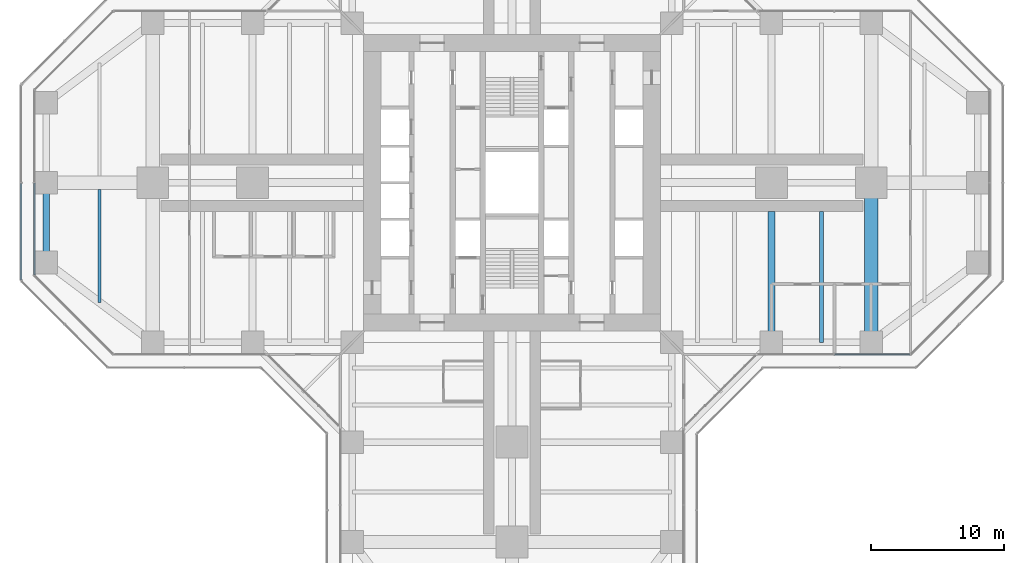
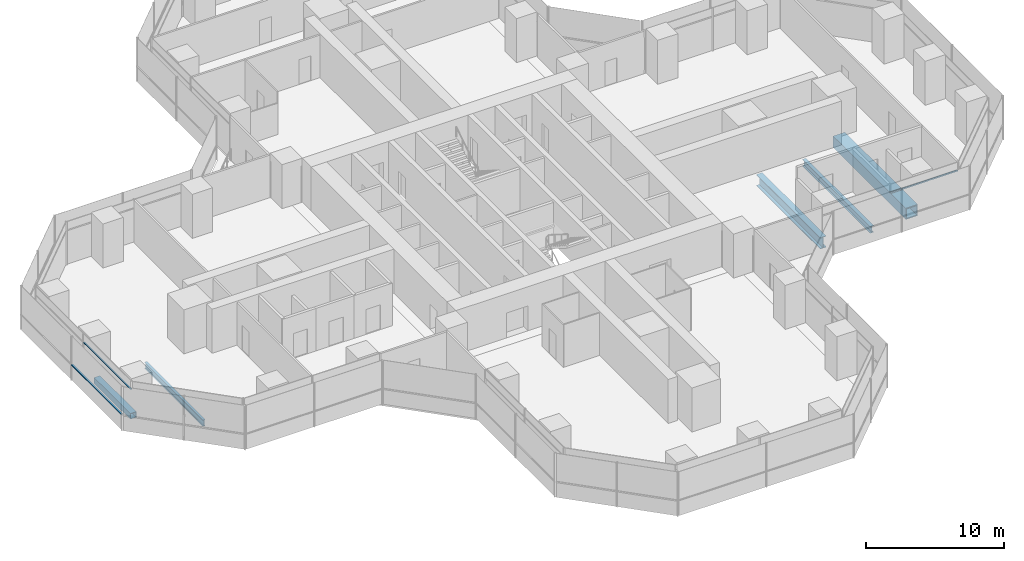
# One storey, part 7 of 22: 5 beams, 3 members, 3 elements without a shape of their own.
"""IFC4 building model written with IfcOpenShell, lengths in metres."""

from ifc_helpers import new_model, si_unit, direction, frame, origin, origin_2d, place, context, subcontext, project, spatial, rectangle, hollow_rectangle, i_section, extrude, material, material_profile, profile_set, type_object, element, aggregate, save


model = new_model("IFC4")

# Units and contexts
model_context = context("Model", 3, precision=1e-05, world=origin(), true_north=direction((0.0, 1.0)))
body_context = subcontext(model_context, "Body", "Model", "MODEL_VIEW")
ifc_project = project(units=[si_unit("LENGTHUNIT", "METRE"), si_unit("AREAUNIT", "SQUARE_METRE"), si_unit("VOLUMEUNIT", "CUBIC_METRE"), si_unit("PLANEANGLEUNIT", "RADIAN"), si_unit("MASSUNIT", "GRAM", prefix="KILO")], contexts=[model_context])

# Site, building, storey
site_placement = place(None, origin())
site = spatial("IfcSite", under=ifc_project, at=site_placement, CompositionType="ELEMENT")
building_placement = place(site_placement, origin())
building = spatial("IfcBuilding", under=site, at=building_placement, Name="Mizan Broadcast Tower", CompositionType="ELEMENT")
storey_placement = place(building_placement, frame((0.0, 0.0, 51.300048828125)))
storey = spatial("IfcBuildingStorey", under=building, at=storey_placement, Name="L09", CompositionType="ELEMENT", Elevation=51.300048828125)

# Beams
ifc_material_1 = material(Name="Steel S355", Category="steel")
ifc_material_profile_1 = material_profile(ifc_material_1, hollow_rectangle(XDim=0.5, YDim=0.5, WallThickness=0.030029296875, at=origin_2d()), Name="BOX 500x500x30")
ifc_profile_set_1 = profile_set([ifc_material_profile_1], Name="Steel S355")
beam_type_1 = type_object("IfcBeamType", Name="EDGE BEAM BOX 500x500x30", PredefinedType="SPANDREL", material=ifc_profile_set_1)
beam_1_placement = place(storey_placement, frame((-35.0, -5.639892578125, -0.380126953125), z_axis=(0.0, 1.0, 0.0), x_axis=(-1.0, 0.0, 0.0)))
element("IfcBeam", 1, at=beam_1_placement, inside=storey, type_object=beam_type_1, Name="Edge beam BOX 500x500x30 L09 west arm", PredefinedType="SPANDREL", context=body_context, shape_type="SweptSolid", body=[
    extrude(hollow_rectangle(XDim=0.5, YDim=0.5, WallThickness=0.030029296875, at=origin_2d()), origin(), (0.0, 0.0, 1.0), 5.27978515625),
])
ifc_material_2 = material(Name="Steel S460", Category="steel")
ifc_material_profile_2 = material_profile(ifc_material_2, hollow_rectangle(XDim=1.0, YDim=1.0, WallThickness=0.080078125, at=origin_2d()), Name="BOX 1000x1000x80")
ifc_profile_set_2 = profile_set([ifc_material_profile_2], Name="Steel S460")
beam_type_2 = type_object("IfcBeamType", Name="GIRDER BOX 1000x1000x80", PredefinedType="BEAM", material=ifc_profile_set_2)
beam_2_placement = place(storey_placement, frame((27.0, -11.280029296875, -0.630126953125), z_axis=(0.0, 1.0, 0.0), x_axis=(-1.0, 0.0, 0.0)))
element("IfcBeam", 2, at=beam_2_placement, inside=storey, type_object=beam_type_2, Name="Girder BOX 1000x1000x80 L09 east arm", PredefinedType="BEAM", context=body_context, shape_type="SweptSolid", body=[
    extrude(hollow_rectangle(XDim=1.0, YDim=1.0, WallThickness=0.080078125, at=origin_2d()), origin(), (0.0, 0.0, 1.0), 10.56005859375),
])
ifc_material_3 = material(Name="Steel S460", Category="steel")
ifc_material_profile_3 = material_profile(ifc_material_3, i_section(OverallWidth=0.5, OverallDepth=1.0, WebThickness=0.02490234375, FlangeThickness=0.050048828125, at=origin_2d()), Name="WPG 1000x500")
ifc_profile_set_3 = profile_set([ifc_material_profile_3], Name="Steel S460")
beam_type_3 = type_object("IfcBeamType", Name="GIRDER WPG 1000x500", PredefinedType="BEAM", material=ifc_profile_set_3)
beam_3_placement = place(storey_placement, frame((19.5, -11.408935546875, -0.630126953125), z_axis=(0.0, 1.0, 0.0), x_axis=(-1.0, 0.0, 0.0)))
element("IfcBeam", 3, at=beam_3_placement, inside=storey, type_object=beam_type_3, Name="Girder WPG 1000x500 L09 east arm", PredefinedType="BEAM", context=body_context, shape_type="SweptSolid", body=[
    extrude(i_section(OverallWidth=0.5, OverallDepth=1.0, WebThickness=0.02490234375, FlangeThickness=0.050048828125, at=origin_2d()), origin(), (0.0, 0.0, 1.0), 9.259033203125),
])

# Curtain wall, member
ifc_material_4 = material(Name="Aluminium framed glazing", Category="aluminium")
curtain_wall_type_1 = type_object("IfcCurtainWallType", Name="INNER SKIN LOW ZONE", PredefinedType="USERDEFINED", material=ifc_material_4)
curtain_wall_1_placement = place(storey_placement, origin())
curtain_wall_1 = element("IfcCurtainWall", 4, at=curtain_wall_1_placement, inside=storey, type_object=curtain_wall_type_1, Name="Inner skin low zone L09 E side", ObjectType="INNER SKIN LOW ZONE", PredefinedType="USERDEFINED")
ifc_material_5 = material(Name="Aluminium, pale anodised", Category="aluminium")
ifc_material_profile_4 = material_profile(ifc_material_5, rectangle(XDim=0.1201171875, YDim=0.06005859375, at=origin_2d()), Name="TRANSOM 120x60")
ifc_profile_set_4 = profile_set([ifc_material_profile_4], Name="Aluminium, pale anodised")
member_type_1 = type_object("IfcMemberType", Name="INNER SKIN TRANSOM 60x120", PredefinedType="USERDEFINED", material=ifc_profile_set_4)
member_1_placement = place(storey_placement, frame((24.25927734375, -12.89990234375, 3.030029296875), z_axis=(1.0, 0.0, 0.0), x_axis=(0.0, 1.0, 0.0)))
member_1 = element("IfcMember", 5, at=member_1_placement, type_object=member_type_1, Name="Inner skin low zone L09 E side transom 2.1", ObjectType="TRANSOM", PredefinedType="USERDEFINED", context=body_context, shape_type="SweptSolid", body=[
    extrude(rectangle(XDim=0.1201171875, YDim=0.06005859375, at=origin_2d()), origin(), (0.0, 0.0, 1.0), 5.639404296875),
])
aggregate(curtain_wall_1, [member_1])

curtain_wall_2_placement = place(storey_placement, origin())
curtain_wall_2 = element("IfcCurtainWall", 6, at=curtain_wall_2_placement, inside=storey, type_object=curtain_wall_type_1, Name="Inner skin low zone L09 W end", ObjectType="INNER SKIN LOW ZONE", PredefinedType="USERDEFINED")
member_2_placement = place(storey_placement, frame((-35.89990234375, -0.030029296875, 3.030029296875), z_axis=(0.0, -1.0, 0.0), x_axis=(1.0, 0.0, 0.0)))
member_2 = element("IfcMember", 7, at=member_2_placement, type_object=member_type_1, Name="Inner skin low zone L09 W end transom 2.1", ObjectType="TRANSOM", PredefinedType="USERDEFINED", context=body_context, shape_type="SweptSolid", body=[
    extrude(rectangle(XDim=0.1201171875, YDim=0.06005859375, at=origin_2d()), origin(), (0.0, 0.0, 1.0), 6.86865234375),
])
aggregate(curtain_wall_2, [member_2])

ifc_material_6 = material(Name="Aluminium framed glazing", Category="aluminium")
curtain_wall_type_2 = type_object("IfcCurtainWallType", Name="OUTER SKIN", PredefinedType="USERDEFINED", material=ifc_material_6)
curtain_wall_3_placement = place(storey_placement, origin())
curtain_wall_3 = element("IfcCurtainWall", 8, at=curtain_wall_3_placement, inside=storey, type_object=curtain_wall_type_2, Name="Outer skin L09 W end", ObjectType="OUTER SKIN", PredefinedType="USERDEFINED")
ifc_material_7 = material(Name="Aluminium, pale anodised", Category="aluminium")
ifc_material_profile_5 = material_profile(ifc_material_7, rectangle(XDim=0.159912109375, YDim=0.06005859375, at=origin_2d()), Name="TRANSOM 160x60")
ifc_profile_set_5 = profile_set([ifc_material_profile_5], Name="Aluminium, pale anodised")
member_type_2 = type_object("IfcMemberType", Name="OUTER SKIN TRANSOM 60x160", PredefinedType="USERDEFINED", material=ifc_profile_set_5)
member_3_placement = place(storey_placement, frame((-36.89990234375, -0.0400390625, 1.39990234375), z_axis=(0.0, -1.0, 0.0), x_axis=(1.0, 0.0, 0.0)))
member_3 = element("IfcMember", 9, at=member_3_placement, type_object=member_type_2, Name="Outer skin L09 W end transom 2.1", ObjectType="TRANSOM", PredefinedType="USERDEFINED", context=body_context, shape_type="SweptSolid", body=[
    extrude(rectangle(XDim=0.159912109375, YDim=0.06005859375, at=origin_2d()), origin(), (0.0, 0.0, 1.0), 7.252685546875),
])
aggregate(curtain_wall_3, [member_3])

# Beams
ifc_material_8 = material(Name="Steel S355", Category="steel")
ifc_material_profile_6 = material_profile(ifc_material_8, i_section(OverallWidth=0.300048828125, OverallDepth=0.590087890625, WebThickness=0.012939453125, FlangeThickness=0.02490234375, FilletRadius=0.027099609375, at=origin_2d()), Name="HEA 600")
ifc_profile_set_6 = profile_set([ifc_material_profile_6], Name="Steel S355")
beam_type_4 = type_object("IfcBeamType", Name="SECONDARY BEAM HEA 600", PredefinedType="JOIST", material=ifc_profile_set_6)
beam_4_placement = place(storey_placement, frame((23.25, -12.0, -0.425048828125), z_axis=(0.0, 1.0, 0.0), x_axis=(-1.0, 0.0, 0.0)))
element("IfcBeam", 10, at=beam_4_placement, inside=storey, type_object=beam_type_4, Name="Secondary beam HEA 600 L09 east arm", PredefinedType="JOIST", context=body_context, shape_type="SweptSolid", body=[
    extrude(i_section(OverallWidth=0.300048828125, OverallDepth=0.590087890625, WebThickness=0.012939453125, FlangeThickness=0.02490234375, FilletRadius=0.027099609375, at=origin_2d()), origin(), (0.0, 0.0, 1.0), 9.85009765625),
])
ifc_material_9 = material(Name="Steel S355", Category="steel")
ifc_material_profile_7 = material_profile(ifc_material_9, i_section(OverallWidth=0.2099609375, OverallDepth=0.550048828125, WebThickness=0.010986328125, FlangeThickness=0.01708984375, FilletRadius=0.02392578125, at=origin_2d()), Name="IPE 550")
ifc_profile_set_7 = profile_set([ifc_material_profile_7], Name="Steel S355")
beam_type_5 = type_object("IfcBeamType", Name="SECONDARY BEAM IPE 550", PredefinedType="JOIST", material=ifc_profile_set_7)
beam_5_placement = place(storey_placement, frame((-31.0, -9.0, -0.405029296875), z_axis=(0.0, 1.0, 0.0), x_axis=(-1.0, 0.0, 0.0)))
element("IfcBeam", 11, at=beam_5_placement, inside=storey, type_object=beam_type_5, Name="Secondary beam IPE 550 L09 west arm", PredefinedType="JOIST", context=body_context, shape_type="SweptSolid", body=[
    extrude(i_section(OverallWidth=0.2099609375, OverallDepth=0.550048828125, WebThickness=0.010986328125, FlangeThickness=0.01708984375, FilletRadius=0.02392578125, at=origin_2d()), origin(), (0.0, 0.0, 1.0), 8.5),
])

save(model, "model.ifc")
